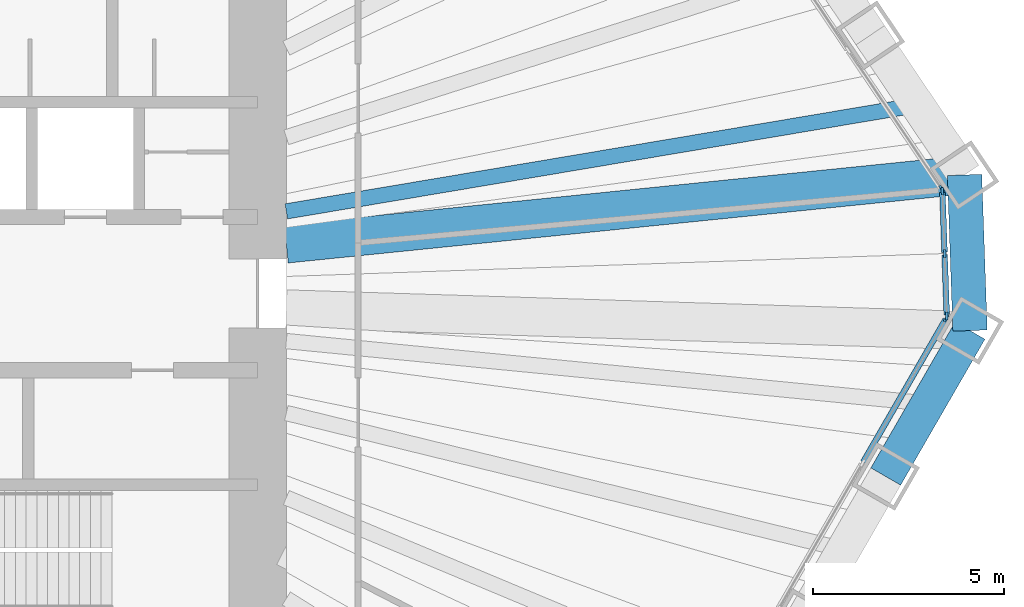
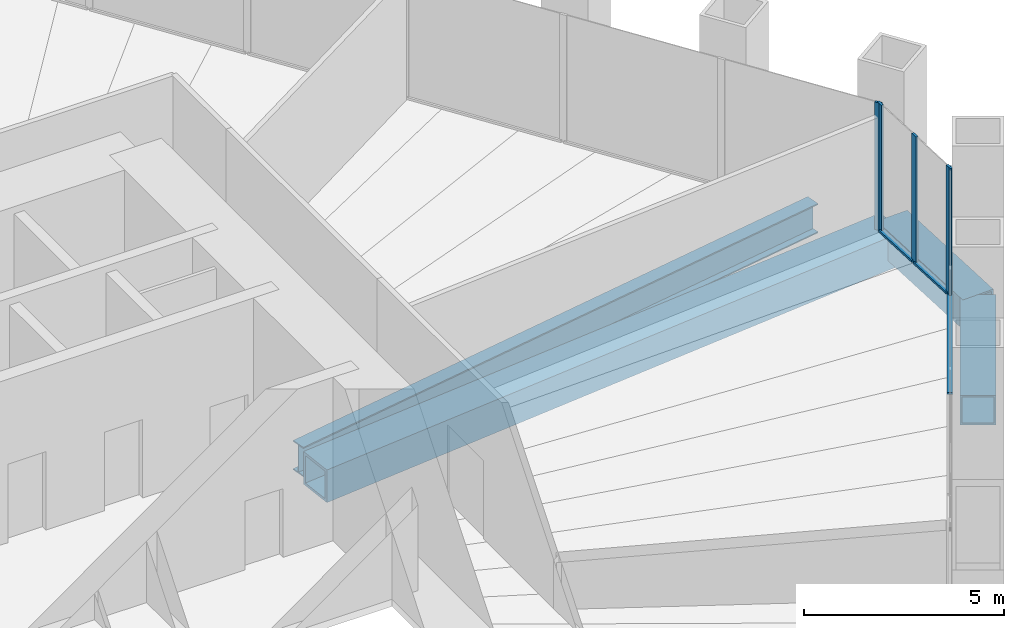
# One storey, part 5 of 13: 8 members, 4 beams, 3 elements without a shape of their own.
"""IFC4 building model written with IfcOpenShell, lengths in metres."""

from ifc_helpers import new_model, si_unit, direction, frame, origin, origin_2d, place, context, subcontext, project, spatial, rectangle, hollow_rectangle, i_section, extrude, material, material_profile, profile_set, type_object, element, aggregate, save


model = new_model("IFC4")

# Units and contexts
model_context = context("Model", 3, precision=1e-05, world=origin(), true_north=direction((0.0, 1.0)))
body_context = subcontext(model_context, "Body", "Model", "MODEL_VIEW")
ifc_project = project(units=[si_unit("LENGTHUNIT", "METRE"), si_unit("AREAUNIT", "SQUARE_METRE"), si_unit("VOLUMEUNIT", "CUBIC_METRE"), si_unit("PLANEANGLEUNIT", "RADIAN"), si_unit("MASSUNIT", "GRAM", prefix="KILO")], contexts=[model_context])

# Site, building, storey
site_placement = place(None, origin())
site = spatial("IfcSite", under=ifc_project, at=site_placement, CompositionType="ELEMENT")
building_placement = place(site_placement, origin())
building = spatial("IfcBuilding", under=site, at=building_placement, Name="Qingtian Harvest Tower", CompositionType="ELEMENT")
storey_placement = place(building_placement, frame((0.0, 0.0, 92.0)))
storey = spatial("IfcBuildingStorey", under=building, at=storey_placement, Name="L18", CompositionType="ELEMENT", Elevation=92.0)

# Beam
ifc_material_1 = material(Name="Steel SN490B", Category="steel")
ifc_material_profile_1 = material_profile(ifc_material_1, i_section(OverallWidth=0.39990234375, OverallDepth=0.89990234375, WebThickness=0.01904296875, FlangeThickness=0.035888671875, at=origin_2d()), Name="H900x400x19x36")
ifc_profile_set_1 = profile_set([ifc_material_profile_1], Name="Steel SN490B")
beam_type_1 = type_object("IfcBeamType", Name="Floor joist J4 H900x400x19x36", PredefinedType="JOIST", material=ifc_profile_set_1)
beam_1_placement = place(storey_placement, frame((29.244873046875, 4.926513671875, -0.64990234375), z_axis=(-0.986107238024, -0.166109948877, 0.0), x_axis=(0.166109948877, -0.986107238024, 0.0)))
element("IfcBeam", 1, at=beam_1_placement, inside=storey, type_object=beam_type_1, Name="Floor joist J4 NE5", PredefinedType="JOIST", context=body_context, shape_type="SweptSolid", body=[
    extrude(i_section(OverallWidth=0.39990234375, OverallDepth=0.89990234375, WebThickness=0.01904296875, FlangeThickness=0.035888671875, at=origin_2d()), origin(), (0.0, 0.0, 1.0), 16.727294921875),
])

# Curtain wall, member
ifc_material_2 = material(Name="Bronze-anodised aluminium curtain wall", Category="aluminium")
curtain_wall_type = type_object("IfcCurtainWallType", Name="Curtain wall CW2 farm reception", PredefinedType="USERDEFINED", material=ifc_material_2)
curtain_wall_1_placement = place(storey_placement, origin())
curtain_wall_1 = element("IfcCurtainWall", 2, at=curtain_wall_1_placement, inside=storey, type_object=curtain_wall_type, Name="Curtain wall CW2 L18 NE0-5", ObjectType="RECESSED CURTAIN WALL", PredefinedType="USERDEFINED")
ifc_material_3 = material(Name="Bronze-anodised aluminium mullion", Category="aluminium")
ifc_material_profile_2 = material_profile(ifc_material_3, rectangle(XDim=0.06494140625, YDim=0.199951171875, at=origin_2d()), Name="AL 65x200")
ifc_profile_set_2 = profile_set([ifc_material_profile_2], Name="Bronze-anodised aluminium mullion")
member_type_1 = type_object("IfcMemberType", Name="Mullion CWM 65x200", PredefinedType="MULLION", material=ifc_profile_set_2)
member_1_placement = place(storey_placement, frame((29.8779296875, 2.736328125, 0.0), z_axis=(0.0, 0.0, 1.0), x_axis=(0.829037572555, 0.559192903471, 0.0)))
member_1 = element("IfcMember", 3, at=member_1_placement, type_object=member_type_1, Name="CW2 mullion 7", PredefinedType="MULLION", context=body_context, shape_type="SweptSolid", body=[
    extrude(rectangle(XDim=0.06494140625, YDim=0.199951171875, at=origin_2d()), origin(), (0.0, 0.0, 1.0), 3.89990234375),
])
aggregate(curtain_wall_1, [member_1])

# Curtain wall, members
curtain_wall_2_placement = place(storey_placement, origin())
curtain_wall_2 = element("IfcCurtainWall", 4, at=curtain_wall_2_placement, inside=storey, type_object=curtain_wall_type, Name="Curtain wall CW2 L18 NEC", ObjectType="RECESSED CURTAIN WALL", PredefinedType="USERDEFINED")
member_2_placement = place(storey_placement, frame((29.897216796875, 2.677001953125, 0.0), z_axis=(0.0, 0.0, 1.0), x_axis=(0.999390827019, 0.034899496703, 0.0)))
member_2 = element("IfcMember", 5, at=member_2_placement, type_object=member_type_1, Name="CW2 mullion 1", PredefinedType="MULLION", context=body_context, shape_type="SweptSolid", body=[
    extrude(rectangle(XDim=0.06494140625, YDim=0.199951171875, at=origin_2d()), origin(), (0.0, 0.0, 1.0), 3.89990234375),
])
member_3_placement = place(storey_placement, frame((29.9541015625, 1.046142578125, 0.0), z_axis=(0.0, 0.0, 1.0), x_axis=(0.999390827019, 0.034899496703, 0.0)))
member_3 = element("IfcMember", 6, at=member_3_placement, type_object=member_type_1, Name="CW2 mullion 2", PredefinedType="MULLION", context=body_context, shape_type="SweptSolid", body=[
    extrude(rectangle(XDim=0.06494140625, YDim=0.199951171875, at=origin_2d()), origin(), (0.0, 0.0, 1.0), 3.89990234375),
])
member_4_placement = place(storey_placement, frame((30.010986328125, -0.5849609375, 0.0), z_axis=(0.0, 0.0, 1.0), x_axis=(0.999390827019, 0.034899496703, 0.0)))
member_4 = element("IfcMember", 7, at=member_4_placement, type_object=member_type_1, Name="CW2 mullion 3", PredefinedType="MULLION", context=body_context, shape_type="SweptSolid", body=[
    extrude(rectangle(XDim=0.06494140625, YDim=0.199951171875, at=origin_2d()), origin(), (0.0, 0.0, 1.0), 3.89990234375),
])

# Curtain wall, member
curtain_wall_3_placement = place(storey_placement, origin())
curtain_wall_3 = element("IfcCurtainWall", 8, at=curtain_wall_3_placement, inside=storey, type_object=curtain_wall_type, Name="Curtain wall CW2 L18 SE0-5", ObjectType="RECESSED CURTAIN WALL", PredefinedType="USERDEFINED")
member_5_placement = place(storey_placement, frame((29.995849609375, -0.6455078125, 0.0), z_axis=(0.0, 0.0, 1.0), x_axis=(0.866025403784, -0.5, 0.0)))
member_5 = element("IfcMember", 9, at=member_5_placement, type_object=member_type_1, Name="CW2 mullion 1", PredefinedType="MULLION", context=body_context, shape_type="SweptSolid", body=[
    extrude(rectangle(XDim=0.06494140625, YDim=0.199951171875, at=origin_2d()), origin(), (0.0, 0.0, 1.0), 3.89990234375),
])

# Beams
ifc_material_4 = material(Name="Steel SM570MC", Category="steel")
ifc_material_profile_3 = material_profile(ifc_material_4, hollow_rectangle(XDim=1.0, YDim=1.0, WallThickness=0.080078125, at=origin_2d()), Name="BOX1000x1000x80")
ifc_profile_set_3 = profile_set([ifc_material_profile_3], Name="Steel SM570MC")
beam_type_2 = type_object("IfcBeamType", Name="Transfer corner beam FB11 BOX1000x1000x80", PredefinedType="BEAM", material=ifc_profile_set_3)
beam_2_placement = place(storey_placement, frame((30.476318359375, 3.100830078125, -0.699951171875), z_axis=(-0.994864371567, -0.101217005423, 0.0), x_axis=(0.101217005423, -0.994864371567, 0.0)))
element("IfcBeam", 10, at=beam_2_placement, inside=storey, type_object=beam_type_2, Name="Floor beam FB11 NE6", PredefinedType="BEAM", context=body_context, shape_type="SweptSolid", body=[
    extrude(hollow_rectangle(XDim=1.0, YDim=1.0, WallThickness=0.080078125, at=origin_2d()), origin(), (0.0, 0.0, 1.0), 17.81787109375),
])
ifc_material_5 = material(Name="Steel SM570MC", Category="steel")
ifc_material_profile_4 = material_profile(ifc_material_5, hollow_rectangle(XDim=0.89990234375, YDim=0.89990234375, WallThickness=0.050048828125, at=origin_2d()), Name="BOX900x900x50")
ifc_profile_set_4 = profile_set([ifc_material_profile_4], Name="Steel SM570MC")
beam_type_3 = type_object("IfcBeamType", Name="Transition spandrel SB6 BOX900x900x50", PredefinedType="SPANDREL", material=ifc_profile_set_4)
beam_3_placement = place(storey_placement, frame((30.476318359375, 3.100830078125, -0.449951171875), z_axis=(0.03490639867, -0.999390585973, 0.0), x_axis=(0.999390585973, 0.03490639867, 0.0)))
element("IfcBeam", 11, at=beam_3_placement, inside=storey, type_object=beam_type_3, Name="Spandrel SB6 NEC", PredefinedType="SPANDREL", context=body_context, shape_type="SweptSolid", body=[
    extrude(hollow_rectangle(XDim=0.89990234375, YDim=0.89990234375, WallThickness=0.050048828125, at=origin_2d()), origin(), (0.0, 0.0, 1.0), 4.070556640625),
])
beam_4_placement = place(storey_placement, frame((30.618408203125, -0.96728515625, -0.449951171875), z_axis=(-0.50001992892, -0.866013897511, 0.0), x_axis=(0.866013897511, -0.50001992892, 0.0)))
element("IfcBeam", 12, at=beam_4_placement, inside=storey, type_object=beam_type_3, Name="Spandrel SB6 SE0", PredefinedType="SPANDREL", context=body_context, shape_type="SweptSolid", body=[
    extrude(hollow_rectangle(XDim=0.89990234375, YDim=0.89990234375, WallThickness=0.050048828125, at=origin_2d()), origin(), (0.0, 0.0, 1.0), 4.404541015625),
])

# Member
ifc_material_6 = material(Name="Bronze-anodised aluminium transom", Category="aluminium")
ifc_material_profile_5 = material_profile(ifc_material_6, rectangle(XDim=0.14990234375, YDim=0.06494140625, at=origin_2d()), Name="AL 65x150")
ifc_profile_set_5 = profile_set([ifc_material_profile_5], Name="Bronze-anodised aluminium transom")
member_type_2 = type_object("IfcMemberType", Name="Transom CWT 65x150", PredefinedType="USERDEFINED", material=ifc_profile_set_5)
member_6_placement = place(storey_placement, frame((29.898193359375, 2.64453125, 0.032470703125), z_axis=(0.034902326647, -0.999390728191, 0.0), x_axis=(0.999390728191, 0.034902326647, 0.0)))
member_6 = element("IfcMember", 13, at=member_6_placement, type_object=member_type_2, Name="CW2 transom 1.1", ObjectType="TRANSOM", PredefinedType="USERDEFINED", context=body_context, shape_type="SweptSolid", body=[
    extrude(rectangle(XDim=0.14990234375, YDim=0.06494140625, at=origin_2d()), origin(), (0.0, 0.0, 1.0), 1.56689453125),
])

member_7_placement = place(storey_placement, frame((29.955322265625, 1.013427734375, 0.032470703125), z_axis=(0.034902326647, -0.999390728191, 0.0), x_axis=(0.999390728191, 0.034902326647, 0.0)))
member_7 = element("IfcMember", 14, at=member_7_placement, type_object=member_type_2, Name="CW2 transom 2.1", ObjectType="TRANSOM", PredefinedType="USERDEFINED", context=body_context, shape_type="SweptSolid", body=[
    extrude(rectangle(XDim=0.14990234375, YDim=0.06494140625, at=origin_2d()), origin(), (0.0, 0.0, 1.0), 1.56689453125),
])

aggregate(curtain_wall_2, [member_2, member_3, member_4, member_6, member_7])

member_8_placement = place(storey_placement, frame((29.979736328125, -0.673583984375, 0.032470703125), z_axis=(-0.499985768833, -0.866033619997, 0.0), x_axis=(0.866033619997, -0.499985768833, 0.0)))
member_8 = element("IfcMember", 15, at=member_8_placement, type_object=member_type_2, Name="CW2 transom 1.1", ObjectType="TRANSOM", PredefinedType="USERDEFINED", context=body_context, shape_type="SweptSolid", body=[
    extrude(rectangle(XDim=0.14990234375, YDim=0.06494140625, at=origin_2d()), origin(), (0.0, 0.0, 1.0), 4.307373046875),
])

aggregate(curtain_wall_3, [member_5, member_8])

save(model, "model.ifc")
